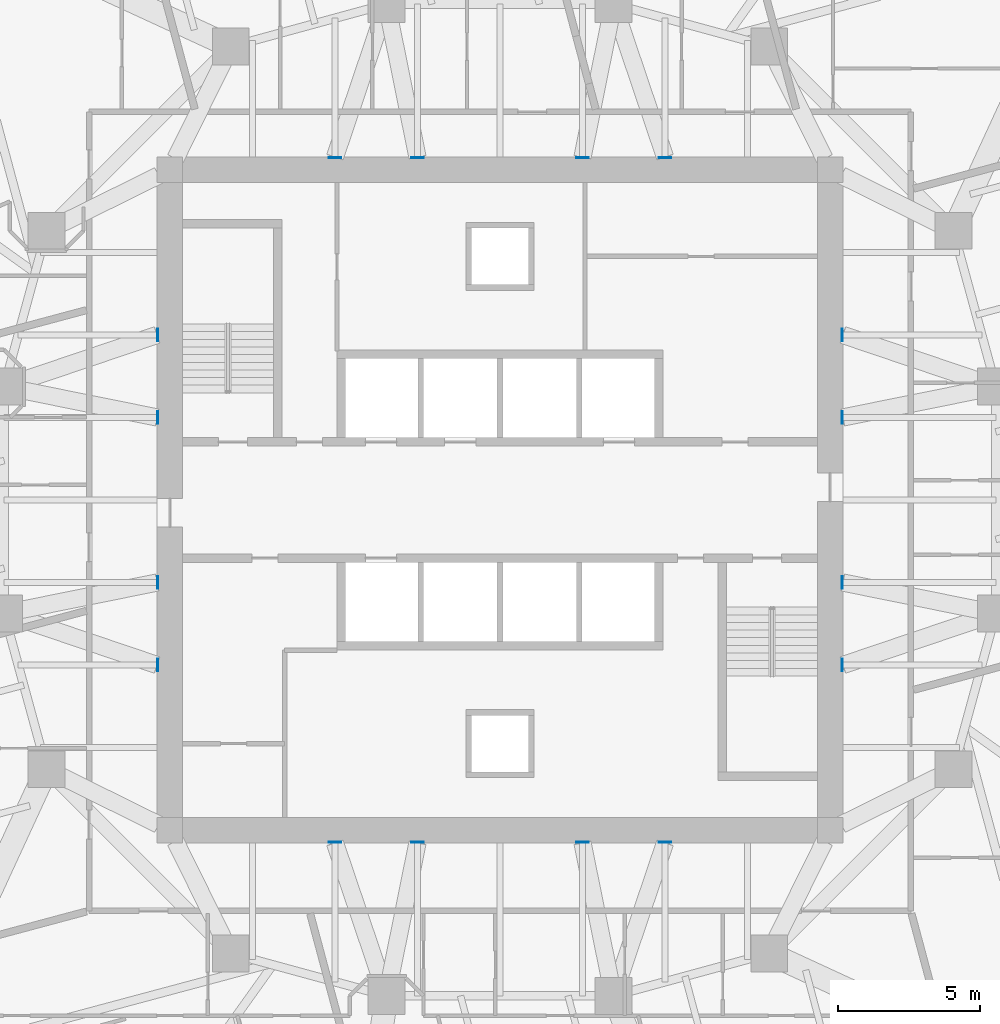
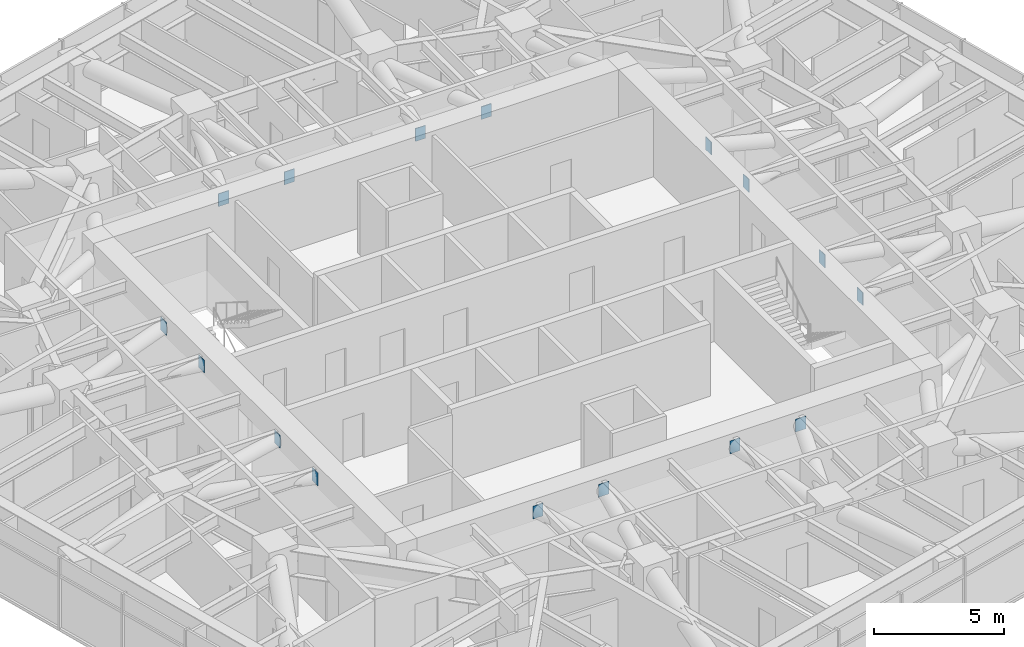
# One storey, part 17 of 18: 16 discrete accessories.
"""IFC4 building model written with IfcOpenShell, lengths in metres."""

from ifc_helpers import new_model, si_unit, direction, frame, origin, origin_2d, place, context, subcontext, project, spatial, rectangle, extrude, material, layer, layer_set, type_object, element, save


model = new_model("IFC4")

# Units and contexts
model_context = context("Model", 3, precision=1e-05, world=origin(), true_north=direction((0.0, 1.0)))
body_context = subcontext(model_context, "Body", "Model", "MODEL_VIEW")
ifc_project = project(units=[si_unit("LENGTHUNIT", "METRE"), si_unit("AREAUNIT", "SQUARE_METRE"), si_unit("VOLUMEUNIT", "CUBIC_METRE"), si_unit("PLANEANGLEUNIT", "RADIAN"), si_unit("MASSUNIT", "GRAM", prefix="KILO")], contexts=[model_context])

# Site, building, storey
site_placement = place(None, origin())
site = spatial("IfcSite", under=ifc_project, at=site_placement, CompositionType="ELEMENT")
building_placement = place(site_placement, origin())
building = spatial("IfcBuilding", under=site, at=building_placement, Name="Torsade Residences", CompositionType="ELEMENT")
storey_placement = place(building_placement, frame((0.0, 0.0, 135.39990234375)))
storey = spatial("IfcBuildingStorey", under=building, at=storey_placement, Name="L37", CompositionType="ELEMENT", Elevation=135.39990234375)

# Discrete accessories
ifc_material = material(Name="Steel grade 350", Category="steel")
ifc_layer = layer(ifc_material, 0.031982421875)
ifc_layer_set = layer_set([ifc_layer], Name="Steel grade 350")
discrete_accessory_type = type_object("IfcDiscreteAccessoryType", Name="CAST-IN PLATE 450x600x32", PredefinedType="ANCHORPLATE", material=ifc_layer_set)
for number, where, z_axis, x_axis, name in (
    (1, (52.083984375, 27.08740234375, 2.486083984375), (0.0, 0.0, 1.0), (1.0, 0.0, 0.0), "Cast-in plate PB1 PB-L38-IR01IE03"),
    (2, (52.083984375, 24.175048828125, 2.486083984375), (0.0, 0.0, 1.0), (1.0, 0.0, 0.0), "Cast-in plate PB1 PB-L38-IR01IE02"),
    (3, (52.083984375, 32.91259765625, 2.486083984375), (0.0, 0.0, 1.0), (1.0, 0.0, 0.0), "Cast-in plate PB1 PB-L38-IR02IE05"),
    (4, (52.083984375, 35.824951171875, 2.486083984375), (0.0, 0.0, 1.0), (1.0, 0.0, 0.0), "Cast-in plate PB1 PB-L38-IR02IE06"),
):
    element("IfcDiscreteAccessory", number, at=place(storey_placement, frame(where, z_axis=z_axis, x_axis=x_axis)), inside=storey, type_object=discrete_accessory_type, Name=name, PredefinedType="ANCHORPLATE", context=body_context, shape_type="SweptSolid", body=[
        extrude(rectangle(XDim=0.031982421875, YDim=0.449951171875, at=origin_2d()), origin(), (0.0, 0.0, 1.0), 0.60009765625),
    ])
for number, where, z_axis, x_axis, name in (
    (5, (42.91259765625, 42.083984375, 2.486083984375), (0.0, 0.0, 1.0), (1.0, 0.0, 0.0), "Cast-in plate PB1 PB-L38-IR05IN05"),
    (6, (45.824951171875, 42.083984375, 2.486083984375), (0.0, 0.0, 1.0), (1.0, 0.0, 0.0), "Cast-in plate PB1 PB-L38-IR05IN06"),
    (7, (37.08740234375, 42.083984375, 2.486083984375), (0.0, 0.0, 1.0), (1.0, 0.0, 0.0), "Cast-in plate PB1 PB-L38-IR06IN03"),
    (8, (34.175048828125, 42.083984375, 2.486083984375), (0.0, 0.0, 1.0), (1.0, 0.0, 0.0), "Cast-in plate PB1 PB-L38-IR06IN02"),
):
    element("IfcDiscreteAccessory", number, at=place(storey_placement, frame(where, z_axis=z_axis, x_axis=x_axis)), inside=storey, type_object=discrete_accessory_type, Name=name, PredefinedType="ANCHORPLATE", context=body_context, shape_type="SweptSolid", body=[
        extrude(rectangle(XDim=0.449951171875, YDim=0.031982421875, at=origin_2d()), origin(), (0.0, 0.0, 1.0), 0.60009765625),
    ])
for number, where, z_axis, x_axis, name in (
    (9, (27.916015625, 32.91259765625, 2.486083984375), (0.0, 0.0, 1.0), (1.0, 0.0, 0.0), "Cast-in plate PB1 PB-L38-IR09IW03"),
    (10, (27.916015625, 35.824951171875, 2.486083984375), (0.0, 0.0, 1.0), (1.0, 0.0, 0.0), "Cast-in plate PB1 PB-L38-IR09IW02"),
    (11, (27.916015625, 27.08740234375, 2.486083984375), (0.0, 0.0, 1.0), (1.0, 0.0, 0.0), "Cast-in plate PB1 PB-L38-IR10IW05"),
    (12, (27.916015625, 24.175048828125, 2.486083984375), (0.0, 0.0, 1.0), (1.0, 0.0, 0.0), "Cast-in plate PB1 PB-L38-IR10IW06"),
):
    element("IfcDiscreteAccessory", number, at=place(storey_placement, frame(where, z_axis=z_axis, x_axis=x_axis)), inside=storey, type_object=discrete_accessory_type, Name=name, PredefinedType="ANCHORPLATE", context=body_context, shape_type="SweptSolid", body=[
        extrude(rectangle(XDim=0.031982421875, YDim=0.449951171875, at=origin_2d()), origin(), (0.0, 0.0, 1.0), 0.60009765625),
    ])
for number, where, z_axis, x_axis, name in (
    (13, (37.08740234375, 17.916015625, 2.486083984375), (0.0, 0.0, 1.0), (1.0, 0.0, 0.0), "Cast-in plate PB1 PB-L38-IR13IS05"),
    (14, (34.175048828125, 17.916015625, 2.486083984375), (0.0, 0.0, 1.0), (1.0, 0.0, 0.0), "Cast-in plate PB1 PB-L38-IR13IS06"),
    (15, (42.91259765625, 17.916015625, 2.486083984375), (0.0, 0.0, 1.0), (1.0, 0.0, 0.0), "Cast-in plate PB1 PB-L38-IR14IS03"),
    (16, (45.824951171875, 17.916015625, 2.486083984375), (0.0, 0.0, 1.0), (1.0, 0.0, 0.0), "Cast-in plate PB1 PB-L38-IR14IS02"),
):
    element("IfcDiscreteAccessory", number, at=place(storey_placement, frame(where, z_axis=z_axis, x_axis=x_axis)), inside=storey, type_object=discrete_accessory_type, Name=name, PredefinedType="ANCHORPLATE", context=body_context, shape_type="SweptSolid", body=[
        extrude(rectangle(XDim=0.449951171875, YDim=0.031982421875, at=origin_2d()), origin(), (0.0, 0.0, 1.0), 0.60009765625),
    ])

save(model, "model.ifc")
